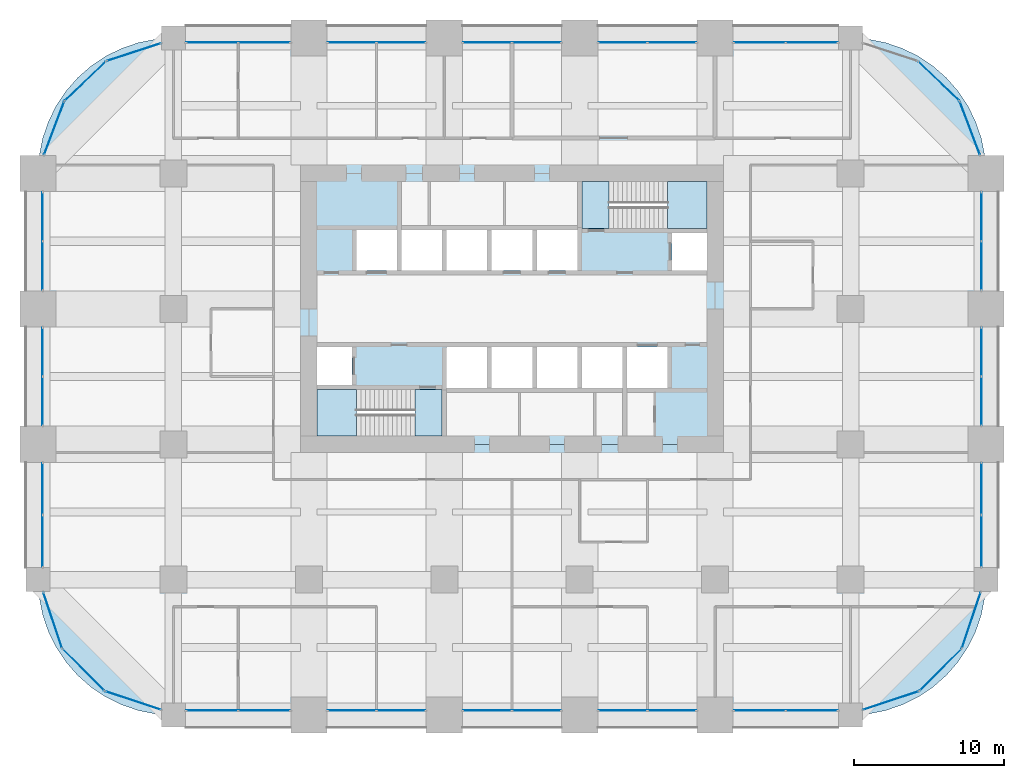
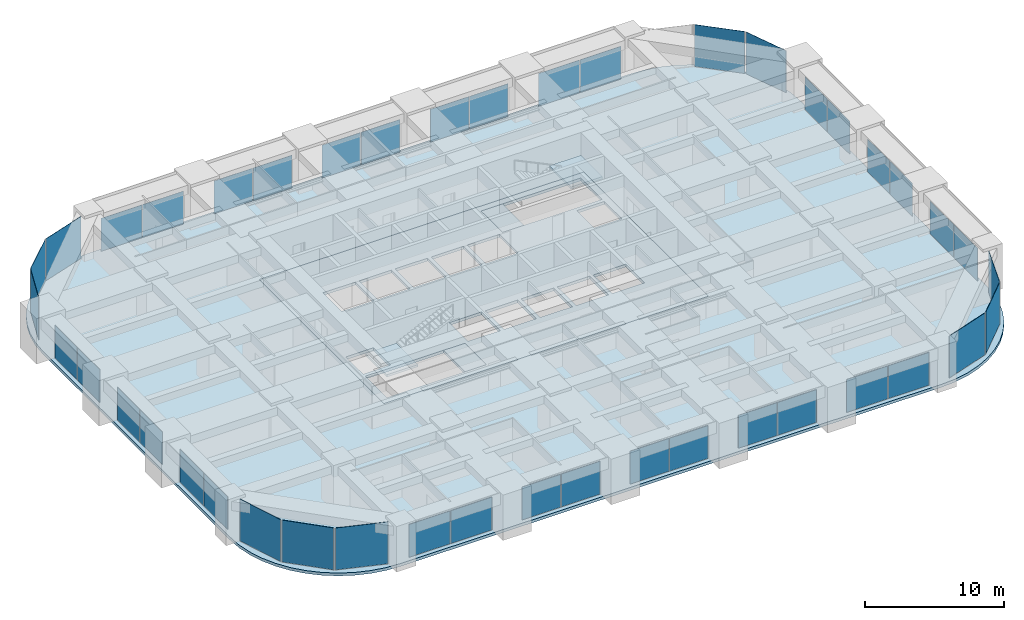
# One storey, part 37 of 42: 43 plates, 6 slabs, 29 elements without a shape of their own.
"""IFC4 building model written with IfcOpenShell, lengths in metres."""

from ifc_helpers import new_model, si_unit, direction, frame, origin, origin_2d, place, context, subcontext, project, spatial, polyline, rectangle, outline, extrude, material, layer, layer_set, type_object, element, aggregate, save


model = new_model("IFC4")

# Units and contexts
model_context = context("Model", 3, precision=1e-05, world=origin(), true_north=direction((0.0, 1.0)))
body_context = subcontext(model_context, "Body", "Model", "MODEL_VIEW")
ifc_project = project(units=[si_unit("LENGTHUNIT", "METRE"), si_unit("AREAUNIT", "SQUARE_METRE"), si_unit("VOLUMEUNIT", "CUBIC_METRE"), si_unit("PLANEANGLEUNIT", "RADIAN"), si_unit("MASSUNIT", "GRAM", prefix="KILO")], contexts=[model_context])

# Site, building, storey
site_placement = place(None, origin())
site = spatial("IfcSite", under=ifc_project, at=site_placement, CompositionType="ELEMENT")
building_placement = place(site_placement, origin())
building = spatial("IfcBuilding", under=site, at=building_placement, Name="Zorevar Civic Tower", CompositionType="ELEMENT")
storey_placement = place(building_placement, frame((0.0, 0.0, 149.0)))
storey = spatial("IfcBuildingStorey", under=building, at=storey_placement, Name="L36", CompositionType="ELEMENT", Elevation=149.0)

# Curtain wall, plates
ifc_material_1 = material(Name="Dark grey solar-control glass in black aluminium frame", Category="aluminium")
curtain_wall_type = type_object("IfcCurtainWallType", Name="Curtain wall CW3 mid zone", PredefinedType="NOTDEFINED", material=ifc_material_1)
curtain_wall_1_placement = place(storey_placement, origin())
curtain_wall_1 = element("IfcCurtainWall", 1, at=curtain_wall_1_placement, inside=storey, type_object=curtain_wall_type, Name="CW3 L36", PredefinedType="NOTDEFINED")
ifc_material_2 = material(Name="Dark grey solar-control glass", Category="glass")
ifc_layer_1 = layer(ifc_material_2, 0.030029296875)
ifc_layer_set_1 = layer_set([ifc_layer_1], Name="CW3 panel 30")
plate_type = type_object("IfcPlateType", Name="CW3 panel 30", PredefinedType="CURTAIN_PANEL", material=ifc_layer_set_1)
plate_1_placement = place(storey_placement, frame((11.56494140625, 0.300048828125, 0.06005859375), z_axis=(0.0, 0.0, 1.0), x_axis=(1.0, 0.0, 0.0)))
plate_1 = element("IfcPlate", 2, at=plate_1_placement, type_object=plate_type, Name="CW3 panel 1.1", PredefinedType="CURTAIN_PANEL", context=body_context, shape_type="SweptSolid", body=[
    extrude(rectangle(XDim=3.409912109375, YDim=0.030029296875, at=origin_2d()), origin(), (0.0, 0.0, 1.0), 2.889892578125),
])
plate_2_placement = place(storey_placement, frame((15.034912109375, 0.300048828125, 0.06005859375), z_axis=(0.0, 0.0, 1.0), x_axis=(1.0, 0.0, 0.0)))
plate_2 = element("IfcPlate", 3, at=plate_2_placement, type_object=plate_type, Name="CW3 panel 2.1", PredefinedType="CURTAIN_PANEL", context=body_context, shape_type="SweptSolid", body=[
    extrude(rectangle(XDim=3.409912109375, YDim=0.030029296875, at=origin_2d()), origin(), (0.0, 0.0, 1.0), 2.889892578125),
])
aggregate(curtain_wall_1, [plate_1, plate_2])

curtain_wall_2_placement = place(storey_placement, origin())
curtain_wall_2 = element("IfcCurtainWall", 4, at=curtain_wall_2_placement, inside=storey, type_object=curtain_wall_type, Name="CW3 L36", PredefinedType="NOTDEFINED")
plate_3_placement = place(storey_placement, frame((11.56494140625, 44.699951171875, 0.06005859375), z_axis=(0.0, 0.0, 1.0), x_axis=(1.0, 0.0, 0.0)))
plate_3 = element("IfcPlate", 5, at=plate_3_placement, type_object=plate_type, Name="CW3 panel 1.1", PredefinedType="CURTAIN_PANEL", context=body_context, shape_type="SweptSolid", body=[
    extrude(rectangle(XDim=3.409912109375, YDim=0.030029296875, at=origin_2d()), origin(), (0.0, 0.0, 1.0), 2.889892578125),
])
plate_4_placement = place(storey_placement, frame((15.034912109375, 44.699951171875, 0.06005859375), z_axis=(0.0, 0.0, 1.0), x_axis=(1.0, 0.0, 0.0)))
plate_4 = element("IfcPlate", 6, at=plate_4_placement, type_object=plate_type, Name="CW3 panel 2.1", PredefinedType="CURTAIN_PANEL", context=body_context, shape_type="SweptSolid", body=[
    extrude(rectangle(XDim=3.409912109375, YDim=0.030029296875, at=origin_2d()), origin(), (0.0, 0.0, 1.0), 2.889892578125),
])
aggregate(curtain_wall_2, [plate_3, plate_4])

curtain_wall_3_placement = place(storey_placement, origin())
curtain_wall_3 = element("IfcCurtainWall", 7, at=curtain_wall_3_placement, inside=storey, type_object=curtain_wall_type, Name="CW3 L36", PredefinedType="NOTDEFINED")
plate_5_placement = place(storey_placement, frame((20.864990234375, 0.300048828125, 0.06005859375), z_axis=(0.0, 0.0, 1.0), x_axis=(1.0, 0.0, 0.0)))
plate_5 = element("IfcPlate", 8, at=plate_5_placement, type_object=plate_type, Name="CW3 panel 1.1", PredefinedType="CURTAIN_PANEL", context=body_context, shape_type="SweptSolid", body=[
    extrude(rectangle(XDim=3.2099609375, YDim=0.030029296875, at=origin_2d()), origin(), (0.0, 0.0, 1.0), 2.889892578125),
])
plate_6_placement = place(storey_placement, frame((24.135009765625, 0.300048828125, 0.06005859375), z_axis=(0.0, 0.0, 1.0), x_axis=(1.0, 0.0, 0.0)))
plate_6 = element("IfcPlate", 9, at=plate_6_placement, type_object=plate_type, Name="CW3 panel 2.1", PredefinedType="CURTAIN_PANEL", context=body_context, shape_type="SweptSolid", body=[
    extrude(rectangle(XDim=3.2099609375, YDim=0.030029296875, at=origin_2d()), origin(), (0.0, 0.0, 1.0), 2.889892578125),
])
aggregate(curtain_wall_3, [plate_5, plate_6])

curtain_wall_4_placement = place(storey_placement, origin())
curtain_wall_4 = element("IfcCurtainWall", 10, at=curtain_wall_4_placement, inside=storey, type_object=curtain_wall_type, Name="CW3 L36", PredefinedType="NOTDEFINED")
plate_7_placement = place(storey_placement, frame((20.864990234375, 44.699951171875, 0.06005859375), z_axis=(0.0, 0.0, 1.0), x_axis=(1.0, 0.0, 0.0)))
plate_7 = element("IfcPlate", 11, at=plate_7_placement, type_object=plate_type, Name="CW3 panel 1.1", PredefinedType="CURTAIN_PANEL", context=body_context, shape_type="SweptSolid", body=[
    extrude(rectangle(XDim=3.2099609375, YDim=0.030029296875, at=origin_2d()), origin(), (0.0, 0.0, 1.0), 2.889892578125),
])
plate_8_placement = place(storey_placement, frame((24.135009765625, 44.699951171875, 0.06005859375), z_axis=(0.0, 0.0, 1.0), x_axis=(1.0, 0.0, 0.0)))
plate_8 = element("IfcPlate", 12, at=plate_8_placement, type_object=plate_type, Name="CW3 panel 2.1", PredefinedType="CURTAIN_PANEL", context=body_context, shape_type="SweptSolid", body=[
    extrude(rectangle(XDim=3.2099609375, YDim=0.030029296875, at=origin_2d()), origin(), (0.0, 0.0, 1.0), 2.889892578125),
])
aggregate(curtain_wall_4, [plate_7, plate_8])

curtain_wall_5_placement = place(storey_placement, origin())
curtain_wall_5 = element("IfcCurtainWall", 13, at=curtain_wall_5_placement, inside=storey, type_object=curtain_wall_type, Name="CW3 L36", PredefinedType="NOTDEFINED")
plate_9_placement = place(storey_placement, frame((29.864990234375, 0.300048828125, 0.06005859375), z_axis=(0.0, 0.0, 1.0), x_axis=(1.0, 0.0, 0.0)))
plate_9 = element("IfcPlate", 14, at=plate_9_placement, type_object=plate_type, Name="CW3 panel 1.1", PredefinedType="CURTAIN_PANEL", context=body_context, shape_type="SweptSolid", body=[
    extrude(rectangle(XDim=3.2099609375, YDim=0.030029296875, at=origin_2d()), origin(), (0.0, 0.0, 1.0), 2.889892578125),
])
plate_10_placement = place(storey_placement, frame((33.135009765625, 0.300048828125, 0.06005859375), z_axis=(0.0, 0.0, 1.0), x_axis=(1.0, 0.0, 0.0)))
plate_10 = element("IfcPlate", 15, at=plate_10_placement, type_object=plate_type, Name="CW3 panel 2.1", PredefinedType="CURTAIN_PANEL", context=body_context, shape_type="SweptSolid", body=[
    extrude(rectangle(XDim=3.2099609375, YDim=0.030029296875, at=origin_2d()), origin(), (0.0, 0.0, 1.0), 2.889892578125),
])
aggregate(curtain_wall_5, [plate_9, plate_10])

curtain_wall_6_placement = place(storey_placement, origin())
curtain_wall_6 = element("IfcCurtainWall", 16, at=curtain_wall_6_placement, inside=storey, type_object=curtain_wall_type, Name="CW3 L36", PredefinedType="NOTDEFINED")
plate_11_placement = place(storey_placement, frame((29.864990234375, 44.699951171875, 0.06005859375), z_axis=(0.0, 0.0, 1.0), x_axis=(1.0, 0.0, 0.0)))
plate_11 = element("IfcPlate", 17, at=plate_11_placement, type_object=plate_type, Name="CW3 panel 1.1", PredefinedType="CURTAIN_PANEL", context=body_context, shape_type="SweptSolid", body=[
    extrude(rectangle(XDim=3.2099609375, YDim=0.030029296875, at=origin_2d()), origin(), (0.0, 0.0, 1.0), 2.889892578125),
])
plate_12_placement = place(storey_placement, frame((33.135009765625, 44.699951171875, 0.06005859375), z_axis=(0.0, 0.0, 1.0), x_axis=(1.0, 0.0, 0.0)))
plate_12 = element("IfcPlate", 18, at=plate_12_placement, type_object=plate_type, Name="CW3 panel 2.1", PredefinedType="CURTAIN_PANEL", context=body_context, shape_type="SweptSolid", body=[
    extrude(rectangle(XDim=3.2099609375, YDim=0.030029296875, at=origin_2d()), origin(), (0.0, 0.0, 1.0), 2.889892578125),
])
aggregate(curtain_wall_6, [plate_11, plate_12])

curtain_wall_7_placement = place(storey_placement, origin())
curtain_wall_7 = element("IfcCurtainWall", 19, at=curtain_wall_7_placement, inside=storey, type_object=curtain_wall_type, Name="CW3 L36", PredefinedType="NOTDEFINED")
plate_13_placement = place(storey_placement, frame((38.864990234375, 0.300048828125, 0.06005859375), z_axis=(0.0, 0.0, 1.0), x_axis=(1.0, 0.0, 0.0)))
plate_13 = element("IfcPlate", 20, at=plate_13_placement, type_object=plate_type, Name="CW3 panel 1.1", PredefinedType="CURTAIN_PANEL", context=body_context, shape_type="SweptSolid", body=[
    extrude(rectangle(XDim=3.2099609375, YDim=0.030029296875, at=origin_2d()), origin(), (0.0, 0.0, 1.0), 2.889892578125),
])
plate_14_placement = place(storey_placement, frame((42.135009765625, 0.300048828125, 0.06005859375), z_axis=(0.0, 0.0, 1.0), x_axis=(1.0, 0.0, 0.0)))
plate_14 = element("IfcPlate", 21, at=plate_14_placement, type_object=plate_type, Name="CW3 panel 2.1", PredefinedType="CURTAIN_PANEL", context=body_context, shape_type="SweptSolid", body=[
    extrude(rectangle(XDim=3.2099609375, YDim=0.030029296875, at=origin_2d()), origin(), (0.0, 0.0, 1.0), 2.889892578125),
])
aggregate(curtain_wall_7, [plate_13, plate_14])

curtain_wall_8_placement = place(storey_placement, origin())
curtain_wall_8 = element("IfcCurtainWall", 22, at=curtain_wall_8_placement, inside=storey, type_object=curtain_wall_type, Name="CW3 L36", PredefinedType="NOTDEFINED")
plate_15_placement = place(storey_placement, frame((38.864990234375, 44.699951171875, 0.06005859375), z_axis=(0.0, 0.0, 1.0), x_axis=(1.0, 0.0, 0.0)))
plate_15 = element("IfcPlate", 23, at=plate_15_placement, type_object=plate_type, Name="CW3 panel 1.1", PredefinedType="CURTAIN_PANEL", context=body_context, shape_type="SweptSolid", body=[
    extrude(rectangle(XDim=3.2099609375, YDim=0.030029296875, at=origin_2d()), origin(), (0.0, 0.0, 1.0), 2.889892578125),
])
plate_16_placement = place(storey_placement, frame((42.135009765625, 44.699951171875, 0.06005859375), z_axis=(0.0, 0.0, 1.0), x_axis=(1.0, 0.0, 0.0)))
plate_16 = element("IfcPlate", 24, at=plate_16_placement, type_object=plate_type, Name="CW3 panel 2.1", PredefinedType="CURTAIN_PANEL", context=body_context, shape_type="SweptSolid", body=[
    extrude(rectangle(XDim=3.2099609375, YDim=0.030029296875, at=origin_2d()), origin(), (0.0, 0.0, 1.0), 2.889892578125),
])
aggregate(curtain_wall_8, [plate_15, plate_16])

curtain_wall_9_placement = place(storey_placement, origin())
curtain_wall_9 = element("IfcCurtainWall", 25, at=curtain_wall_9_placement, inside=storey, type_object=curtain_wall_type, Name="CW3 L36", PredefinedType="NOTDEFINED")
plate_17_placement = place(storey_placement, frame((47.965087890625, 0.300048828125, 0.06005859375), z_axis=(0.0, 0.0, 1.0), x_axis=(1.0, 0.0, 0.0)))
plate_17 = element("IfcPlate", 26, at=plate_17_placement, type_object=plate_type, Name="CW3 panel 1.1", PredefinedType="CURTAIN_PANEL", context=body_context, shape_type="SweptSolid", body=[
    extrude(rectangle(XDim=3.409912109375, YDim=0.030029296875, at=origin_2d()), origin(), (0.0, 0.0, 1.0), 2.889892578125),
])
plate_18_placement = place(storey_placement, frame((51.43505859375, 0.300048828125, 0.06005859375), z_axis=(0.0, 0.0, 1.0), x_axis=(1.0, 0.0, 0.0)))
plate_18 = element("IfcPlate", 27, at=plate_18_placement, type_object=plate_type, Name="CW3 panel 2.1", PredefinedType="CURTAIN_PANEL", context=body_context, shape_type="SweptSolid", body=[
    extrude(rectangle(XDim=3.409912109375, YDim=0.030029296875, at=origin_2d()), origin(), (0.0, 0.0, 1.0), 2.889892578125),
])
aggregate(curtain_wall_9, [plate_17, plate_18])

curtain_wall_10_placement = place(storey_placement, origin())
curtain_wall_10 = element("IfcCurtainWall", 28, at=curtain_wall_10_placement, inside=storey, type_object=curtain_wall_type, Name="CW3 L36", PredefinedType="NOTDEFINED")
plate_19_placement = place(storey_placement, frame((47.965087890625, 44.699951171875, 0.06005859375), z_axis=(0.0, 0.0, 1.0), x_axis=(1.0, 0.0, 0.0)))
plate_19 = element("IfcPlate", 29, at=plate_19_placement, type_object=plate_type, Name="CW3 panel 1.1", PredefinedType="CURTAIN_PANEL", context=body_context, shape_type="SweptSolid", body=[
    extrude(rectangle(XDim=3.409912109375, YDim=0.030029296875, at=origin_2d()), origin(), (0.0, 0.0, 1.0), 2.889892578125),
])
plate_20_placement = place(storey_placement, frame((51.43505859375, 44.699951171875, 0.06005859375), z_axis=(0.0, 0.0, 1.0), x_axis=(1.0, 0.0, 0.0)))
plate_20 = element("IfcPlate", 30, at=plate_20_placement, type_object=plate_type, Name="CW3 panel 2.1", PredefinedType="CURTAIN_PANEL", context=body_context, shape_type="SweptSolid", body=[
    extrude(rectangle(XDim=3.409912109375, YDim=0.030029296875, at=origin_2d()), origin(), (0.0, 0.0, 1.0), 2.889892578125),
])
aggregate(curtain_wall_10, [plate_19, plate_20])

curtain_wall_11_placement = place(storey_placement, origin())
curtain_wall_11 = element("IfcCurtainWall", 31, at=curtain_wall_11_placement, inside=storey, type_object=curtain_wall_type, Name="CW3 L36", PredefinedType="NOTDEFINED")
plate_21_placement = place(storey_placement, frame((0.300048828125, 11.56494140625, 0.06005859375), z_axis=(0.0, 0.0, 1.0), x_axis=(0.0, 1.0, 0.0)))
plate_21 = element("IfcPlate", 32, at=plate_21_placement, type_object=plate_type, Name="CW3 panel 1.1", PredefinedType="CURTAIN_PANEL", context=body_context, shape_type="SweptSolid", body=[
    extrude(rectangle(XDim=3.409912109375, YDim=0.030029296875, at=origin_2d()), origin(), (0.0, 0.0, 1.0), 2.889892578125),
])
plate_22_placement = place(storey_placement, frame((0.300048828125, 15.034912109375, 0.06005859375), z_axis=(0.0, 0.0, 1.0), x_axis=(0.0, 1.0, 0.0)))
plate_22 = element("IfcPlate", 33, at=plate_22_placement, type_object=plate_type, Name="CW3 panel 2.1", PredefinedType="CURTAIN_PANEL", context=body_context, shape_type="SweptSolid", body=[
    extrude(rectangle(XDim=3.409912109375, YDim=0.030029296875, at=origin_2d()), origin(), (0.0, 0.0, 1.0), 2.889892578125),
])
aggregate(curtain_wall_11, [plate_21, plate_22])

curtain_wall_12_placement = place(storey_placement, origin())
curtain_wall_12 = element("IfcCurtainWall", 34, at=curtain_wall_12_placement, inside=storey, type_object=curtain_wall_type, Name="CW3 L36", PredefinedType="NOTDEFINED")
plate_23_placement = place(storey_placement, frame((62.699951171875, 11.56494140625, 0.06005859375), z_axis=(0.0, 0.0, 1.0), x_axis=(0.0, 1.0, 0.0)))
plate_23 = element("IfcPlate", 35, at=plate_23_placement, type_object=plate_type, Name="CW3 panel 1.1", PredefinedType="CURTAIN_PANEL", context=body_context, shape_type="SweptSolid", body=[
    extrude(rectangle(XDim=3.409912109375, YDim=0.030029296875, at=origin_2d()), origin(), (0.0, 0.0, 1.0), 2.889892578125),
])
plate_24_placement = place(storey_placement, frame((62.699951171875, 15.034912109375, 0.06005859375), z_axis=(0.0, 0.0, 1.0), x_axis=(0.0, 1.0, 0.0)))
plate_24 = element("IfcPlate", 36, at=plate_24_placement, type_object=plate_type, Name="CW3 panel 2.1", PredefinedType="CURTAIN_PANEL", context=body_context, shape_type="SweptSolid", body=[
    extrude(rectangle(XDim=3.409912109375, YDim=0.030029296875, at=origin_2d()), origin(), (0.0, 0.0, 1.0), 2.889892578125),
])
aggregate(curtain_wall_12, [plate_23, plate_24])

curtain_wall_13_placement = place(storey_placement, origin())
curtain_wall_13 = element("IfcCurtainWall", 37, at=curtain_wall_13_placement, inside=storey, type_object=curtain_wall_type, Name="CW3 L36", PredefinedType="NOTDEFINED")
plate_25_placement = place(storey_placement, frame((0.300048828125, 20.864990234375, 0.06005859375), z_axis=(0.0, 0.0, 1.0), x_axis=(0.0, 1.0, 0.0)))
plate_25 = element("IfcPlate", 38, at=plate_25_placement, type_object=plate_type, Name="CW3 panel 1.1", PredefinedType="CURTAIN_PANEL", context=body_context, shape_type="SweptSolid", body=[
    extrude(rectangle(XDim=3.2099609375, YDim=0.030029296875, at=origin_2d()), origin(), (0.0, 0.0, 1.0), 2.889892578125),
])
plate_26_placement = place(storey_placement, frame((0.300048828125, 24.135009765625, 0.06005859375), z_axis=(0.0, 0.0, 1.0), x_axis=(0.0, 1.0, 0.0)))
plate_26 = element("IfcPlate", 39, at=plate_26_placement, type_object=plate_type, Name="CW3 panel 2.1", PredefinedType="CURTAIN_PANEL", context=body_context, shape_type="SweptSolid", body=[
    extrude(rectangle(XDim=3.2099609375, YDim=0.030029296875, at=origin_2d()), origin(), (0.0, 0.0, 1.0), 2.889892578125),
])
aggregate(curtain_wall_13, [plate_25, plate_26])

curtain_wall_14_placement = place(storey_placement, origin())
curtain_wall_14 = element("IfcCurtainWall", 40, at=curtain_wall_14_placement, inside=storey, type_object=curtain_wall_type, Name="CW3 L36", PredefinedType="NOTDEFINED")
plate_27_placement = place(storey_placement, frame((62.699951171875, 20.864990234375, 0.06005859375), z_axis=(0.0, 0.0, 1.0), x_axis=(0.0, 1.0, 0.0)))
plate_27 = element("IfcPlate", 41, at=plate_27_placement, type_object=plate_type, Name="CW3 panel 1.1", PredefinedType="CURTAIN_PANEL", context=body_context, shape_type="SweptSolid", body=[
    extrude(rectangle(XDim=3.2099609375, YDim=0.030029296875, at=origin_2d()), origin(), (0.0, 0.0, 1.0), 2.889892578125),
])
plate_28_placement = place(storey_placement, frame((62.699951171875, 24.135009765625, 0.06005859375), z_axis=(0.0, 0.0, 1.0), x_axis=(0.0, 1.0, 0.0)))
plate_28 = element("IfcPlate", 42, at=plate_28_placement, type_object=plate_type, Name="CW3 panel 2.1", PredefinedType="CURTAIN_PANEL", context=body_context, shape_type="SweptSolid", body=[
    extrude(rectangle(XDim=3.2099609375, YDim=0.030029296875, at=origin_2d()), origin(), (0.0, 0.0, 1.0), 2.889892578125),
])
aggregate(curtain_wall_14, [plate_27, plate_28])

curtain_wall_15_placement = place(storey_placement, origin())
curtain_wall_15 = element("IfcCurtainWall", 43, at=curtain_wall_15_placement, inside=storey, type_object=curtain_wall_type, Name="CW3 L36", PredefinedType="NOTDEFINED")
plate_29_placement = place(storey_placement, frame((0.300048828125, 29.864990234375, 0.06005859375), z_axis=(0.0, 0.0, 1.0), x_axis=(0.0, 1.0, 0.0)))
plate_29 = element("IfcPlate", 44, at=plate_29_placement, type_object=plate_type, Name="CW3 panel 1.1", PredefinedType="CURTAIN_PANEL", context=body_context, shape_type="SweptSolid", body=[
    extrude(rectangle(XDim=3.2099609375, YDim=0.030029296875, at=origin_2d()), origin(), (0.0, 0.0, 1.0), 2.889892578125),
])
plate_30_placement = place(storey_placement, frame((0.300048828125, 33.135009765625, 0.06005859375), z_axis=(0.0, 0.0, 1.0), x_axis=(0.0, 1.0, 0.0)))
plate_30 = element("IfcPlate", 45, at=plate_30_placement, type_object=plate_type, Name="CW3 panel 2.1", PredefinedType="CURTAIN_PANEL", context=body_context, shape_type="SweptSolid", body=[
    extrude(rectangle(XDim=3.2099609375, YDim=0.030029296875, at=origin_2d()), origin(), (0.0, 0.0, 1.0), 2.889892578125),
])
aggregate(curtain_wall_15, [plate_29, plate_30])

curtain_wall_16_placement = place(storey_placement, origin())
curtain_wall_16 = element("IfcCurtainWall", 46, at=curtain_wall_16_placement, inside=storey, type_object=curtain_wall_type, Name="CW3 L36", PredefinedType="NOTDEFINED")
plate_31_placement = place(storey_placement, frame((62.699951171875, 29.864990234375, 0.06005859375), z_axis=(0.0, 0.0, 1.0), x_axis=(0.0, 1.0, 0.0)))
plate_31 = element("IfcPlate", 47, at=plate_31_placement, type_object=plate_type, Name="CW3 panel 1.1", PredefinedType="CURTAIN_PANEL", context=body_context, shape_type="SweptSolid", body=[
    extrude(rectangle(XDim=3.2099609375, YDim=0.030029296875, at=origin_2d()), origin(), (0.0, 0.0, 1.0), 2.889892578125),
])
plate_32_placement = place(storey_placement, frame((62.699951171875, 33.135009765625, 0.06005859375), z_axis=(0.0, 0.0, 1.0), x_axis=(0.0, 1.0, 0.0)))
plate_32 = element("IfcPlate", 48, at=plate_32_placement, type_object=plate_type, Name="CW3 panel 2.1", PredefinedType="CURTAIN_PANEL", context=body_context, shape_type="SweptSolid", body=[
    extrude(rectangle(XDim=3.2099609375, YDim=0.030029296875, at=origin_2d()), origin(), (0.0, 0.0, 1.0), 2.889892578125),
])
aggregate(curtain_wall_16, [plate_31, plate_32])

# Curtain wall, plate
curtain_wall_17_placement = place(storey_placement, origin())
curtain_wall_17 = element("IfcCurtainWall", 49, at=curtain_wall_17_placement, inside=storey, type_object=curtain_wall_type, Name="CW3 L36", PredefinedType="NOTDEFINED")
plate_33_placement = place(storey_placement, frame((56.689453125, 0.9697265625, 0.06005859375), z_axis=(0.0, 0.0, 1.0), x_axis=(0.948227238701, 0.317592669603, 0.0)))
plate_33 = element("IfcPlate", 50, at=plate_33_placement, type_object=plate_type, Name="CW3 panel 1.1", PredefinedType="CURTAIN_PANEL", context=body_context, shape_type="SweptSolid", body=[
    extrude(rectangle(XDim=3.865478515625, YDim=0.030029296875, at=origin_2d()), origin(), (0.0, 0.0, 1.0), 3.68994140625),
])
aggregate(curtain_wall_17, [plate_33])

curtain_wall_18_placement = place(storey_placement, origin())
curtain_wall_18 = element("IfcCurtainWall", 51, at=curtain_wall_18_placement, inside=storey, type_object=curtain_wall_type, Name="CW3 L36", PredefinedType="NOTDEFINED")
plate_34_placement = place(storey_placement, frame((59.98828125, 3.01171875, 0.06005859375), z_axis=(0.0, 0.0, 1.0), x_axis=(0.707106781187, 0.707106781187, 0.0)))
plate_34 = element("IfcPlate", 52, at=plate_34_placement, type_object=plate_type, Name="CW3 panel 1.1", PredefinedType="CURTAIN_PANEL", context=body_context, shape_type="SweptSolid", body=[
    extrude(rectangle(XDim=3.865478515625, YDim=0.030029296875, at=origin_2d()), origin(), (0.0, 0.0, 1.0), 3.68994140625),
])
aggregate(curtain_wall_18, [plate_34])

curtain_wall_19_placement = place(storey_placement, origin())
curtain_wall_19 = element("IfcCurtainWall", 53, at=curtain_wall_19_placement, inside=storey, type_object=curtain_wall_type, Name="CW3 L36", PredefinedType="NOTDEFINED")
plate_35_placement = place(storey_placement, frame((62.0302734375, 6.310546875, 0.06005859375), z_axis=(0.0, 0.0, 1.0), x_axis=(0.317592669603, 0.948227238701, 0.0)))
plate_35 = element("IfcPlate", 54, at=plate_35_placement, type_object=plate_type, Name="CW3 panel 1.1", PredefinedType="CURTAIN_PANEL", context=body_context, shape_type="SweptSolid", body=[
    extrude(rectangle(XDim=3.865478515625, YDim=0.030029296875, at=origin_2d()), origin(), (0.0, 0.0, 1.0), 3.68994140625),
])
aggregate(curtain_wall_19, [plate_35])

curtain_wall_20_placement = place(storey_placement, origin())
curtain_wall_20 = element("IfcCurtainWall", 55, at=curtain_wall_20_placement, inside=storey, type_object=curtain_wall_type, Name="CW3 L36", PredefinedType="NOTDEFINED")
plate_36_placement = place(storey_placement, frame((61.9345703125, 39.002685546875, 0.06005859375), z_axis=(0.0, 0.0, 1.0), x_axis=(-0.353917722218, 0.935276561184, 0.0)))
plate_36 = element("IfcPlate", 56, at=plate_36_placement, type_object=plate_type, Name="CW3 panel 1.1", PredefinedType="CURTAIN_PANEL", context=body_context, shape_type="SweptSolid", body=[
    extrude(rectangle(XDim=3.734619140625, YDim=0.030029296875, at=origin_2d()), origin(), (0.0, 0.0, 1.0), 3.68994140625),
])
aggregate(curtain_wall_20, [plate_36])

curtain_wall_21_placement = place(storey_placement, origin())
curtain_wall_21 = element("IfcCurtainWall", 57, at=curtain_wall_21_placement, inside=storey, type_object=curtain_wall_type, Name="CW3 L36", PredefinedType="NOTDEFINED")
plate_37_placement = place(storey_placement, frame((59.8583984375, 42.13623046875, 0.06005859375), z_axis=(0.0, 0.0, 1.0), x_axis=(-0.723289117983, 0.690545329292, 0.0)))
plate_37 = element("IfcPlate", 58, at=plate_37_placement, type_object=plate_type, Name="CW3 panel 1.1", PredefinedType="CURTAIN_PANEL", context=body_context, shape_type="SweptSolid", body=[
    extrude(rectangle(XDim=3.734619140625, YDim=0.030029296875, at=origin_2d()), origin(), (0.0, 0.0, 1.0), 3.68994140625),
])
aggregate(curtain_wall_21, [plate_37])

curtain_wall_22_placement = place(storey_placement, origin())
curtain_wall_22 = element("IfcCurtainWall", 59, at=curtain_wall_22_placement, inside=storey, type_object=curtain_wall_type, Name="CW3 L36", PredefinedType="NOTDEFINED")
plate_38_placement = place(storey_placement, frame((6.36767578125, 44.065185546875, 0.06005859375), z_axis=(0.0, 0.0, 1.0), x_axis=(-0.950650706548, -0.310263169163, 0.0)))
plate_38 = element("IfcPlate", 60, at=plate_38_placement, type_object=plate_type, Name="CW3 panel 1.1", PredefinedType="CURTAIN_PANEL", context=body_context, shape_type="SweptSolid", body=[
    extrude(rectangle(XDim=3.734619140625, YDim=0.030029296875, at=origin_2d()), origin(), (0.0, 0.0, 1.0), 3.68994140625),
])
aggregate(curtain_wall_22, [plate_38])

curtain_wall_23_placement = place(storey_placement, origin())
curtain_wall_23 = element("IfcCurtainWall", 61, at=curtain_wall_23_placement, inside=storey, type_object=curtain_wall_type, Name="CW3 L36", PredefinedType="NOTDEFINED")
plate_39_placement = place(storey_placement, frame((3.1416015625, 42.13623046875, 0.06005859375), z_axis=(0.0, 0.0, 1.0), x_axis=(-0.723289117983, -0.690545329292, 0.0)))
plate_39 = element("IfcPlate", 62, at=plate_39_placement, type_object=plate_type, Name="CW3 panel 1.1", PredefinedType="CURTAIN_PANEL", context=body_context, shape_type="SweptSolid", body=[
    extrude(rectangle(XDim=3.734619140625, YDim=0.030029296875, at=origin_2d()), origin(), (0.0, 0.0, 1.0), 3.68994140625),
])
aggregate(curtain_wall_23, [plate_39])

curtain_wall_24_placement = place(storey_placement, origin())
curtain_wall_24 = element("IfcCurtainWall", 63, at=curtain_wall_24_placement, inside=storey, type_object=curtain_wall_type, Name="CW3 L36", PredefinedType="NOTDEFINED")
plate_40_placement = place(storey_placement, frame((1.0654296875, 39.002685546875, 0.06005859375), z_axis=(0.0, 0.0, 1.0), x_axis=(-0.353917722218, -0.935276561184, 0.0)))
plate_40 = element("IfcPlate", 64, at=plate_40_placement, type_object=plate_type, Name="CW3 panel 1.1", PredefinedType="CURTAIN_PANEL", context=body_context, shape_type="SweptSolid", body=[
    extrude(rectangle(XDim=3.734619140625, YDim=0.030029296875, at=origin_2d()), origin(), (0.0, 0.0, 1.0), 3.68994140625),
])
aggregate(curtain_wall_24, [plate_40])

curtain_wall_25_placement = place(storey_placement, origin())
curtain_wall_25 = element("IfcCurtainWall", 65, at=curtain_wall_25_placement, inside=storey, type_object=curtain_wall_type, Name="CW3 L36", PredefinedType="NOTDEFINED")
plate_41_placement = place(storey_placement, frame((0.9697265625, 6.310546875, 0.06005859375), z_axis=(0.0, 0.0, 1.0), x_axis=(0.317592669603, -0.948227238701, 0.0)))
plate_41 = element("IfcPlate", 66, at=plate_41_placement, type_object=plate_type, Name="CW3 panel 1.1", PredefinedType="CURTAIN_PANEL", context=body_context, shape_type="SweptSolid", body=[
    extrude(rectangle(XDim=3.865478515625, YDim=0.030029296875, at=origin_2d()), origin(), (0.0, 0.0, 1.0), 3.68994140625),
])
aggregate(curtain_wall_25, [plate_41])

curtain_wall_26_placement = place(storey_placement, origin())
curtain_wall_26 = element("IfcCurtainWall", 67, at=curtain_wall_26_placement, inside=storey, type_object=curtain_wall_type, Name="CW3 L36", PredefinedType="NOTDEFINED")
plate_42_placement = place(storey_placement, frame((3.01171875, 3.01171875, 0.06005859375), z_axis=(0.0, 0.0, 1.0), x_axis=(0.707106781187, -0.707106781187, 0.0)))
plate_42 = element("IfcPlate", 68, at=plate_42_placement, type_object=plate_type, Name="CW3 panel 1.1", PredefinedType="CURTAIN_PANEL", context=body_context, shape_type="SweptSolid", body=[
    extrude(rectangle(XDim=3.865478515625, YDim=0.030029296875, at=origin_2d()), origin(), (0.0, 0.0, 1.0), 3.68994140625),
])
aggregate(curtain_wall_26, [plate_42])

curtain_wall_27_placement = place(storey_placement, origin())
curtain_wall_27 = element("IfcCurtainWall", 69, at=curtain_wall_27_placement, inside=storey, type_object=curtain_wall_type, Name="CW3 L36", PredefinedType="NOTDEFINED")
plate_43_placement = place(storey_placement, frame((6.310546875, 0.9697265625, 0.06005859375), z_axis=(0.0, 0.0, 1.0), x_axis=(0.948227238701, -0.317592669603, 0.0)))
plate_43 = element("IfcPlate", 70, at=plate_43_placement, type_object=plate_type, Name="CW3 panel 1.1", PredefinedType="CURTAIN_PANEL", context=body_context, shape_type="SweptSolid", body=[
    extrude(rectangle(XDim=3.865478515625, YDim=0.030029296875, at=origin_2d()), origin(), (0.0, 0.0, 1.0), 3.68994140625),
])
aggregate(curtain_wall_27, [plate_43])

# Slabs
ifc_material_3 = material(Name="Concrete C40/50", Category="concrete")
ifc_layer_2 = layer(ifc_material_3, 0.25)
ifc_layer_set_2 = layer_set([ifc_layer_2], Name="Floor slab 250")
slab_type_1 = type_object("IfcSlabType", Name="Floor slab 250", PredefinedType="FLOOR", material=ifc_layer_set_2)
slab_1_placement = place(storey_placement, frame((0.0, 0.0, -0.25)))
element("IfcSlab", 71, at=slab_1_placement, inside=storey, type_object=slab_type_1, Name="Floor slab L36", PredefinedType="FLOOR", context=body_context, shape_type="SweptSolid", body=[
    extrude(outline(polyline([(54.0, 0.0), (55.1748046875, 0.076904296875), (56.329345703125, 0.306640625), (57.444091796875, 0.68505859375), (58.5, 1.205810546875), (59.478759765625, 1.85986328125), (60.364013671875, 2.635986328125), (61.14013671875, 3.521240234375), (61.794189453125, 4.5), (62.31494140625, 5.555908203125), (62.693359375, 6.670654296875), (62.923095703125, 7.8251953125), (63.0, 9.0), (63.0, 36.0), (62.923095703125, 37.1748046875), (62.693359375, 38.329345703125), (62.31494140625, 39.444091796875), (61.794189453125, 40.5), (61.14013671875, 41.478759765625), (60.364013671875, 42.364013671875), (59.478759765625, 43.14013671875), (58.5, 43.794189453125), (57.444091796875, 44.31494140625), (56.329345703125, 44.693359375), (55.1748046875, 44.923095703125), (54.0, 45.0), (9.0, 45.0), (7.8251953125, 44.923095703125), (6.670654296875, 44.693359375), (5.555908203125, 44.31494140625), (4.5, 43.794189453125), (3.521240234375, 43.14013671875), (2.635986328125, 42.364013671875), (1.85986328125, 41.478759765625), (1.205810546875, 40.5), (0.68505859375, 39.444091796875), (0.306640625, 38.329345703125), (0.076904296875, 37.1748046875), (0.0, 36.0), (0.0, 9.0), (0.076904296875, 7.8251953125), (0.306640625, 6.670654296875), (0.68505859375, 5.555908203125), (1.205810546875, 4.5), (1.85986328125, 3.521240234375), (2.635986328125, 2.635986328125), (3.521240234375, 1.85986328125), (4.5, 1.205810546875), (5.555908203125, 0.68505859375), (6.670654296875, 0.306640625), (7.8251953125, 0.076904296875), (9.0, 0.0), (54.0, 0.0)]), holes=[polyline([(18.0, 18.0), (45.0, 18.0), (45.0, 36.0), (18.0, 36.0), (18.0, 18.0)])]), origin(), (0.0, 0.0, 1.0), 0.25),
])
slab_2_placement = place(storey_placement, frame((0.0, 0.0, -0.25)))
element("IfcSlab", 72, at=slab_2_placement, inside=storey, type_object=slab_type_1, Name="Core floor L36", PredefinedType="FLOOR", context=body_context, shape_type="SweptSolid", body=[
    extrude(outline(polyline([(18.0, 18.0), (45.0, 18.0), (45.0, 36.0), (18.0, 36.0), (18.0, 18.0)]), holes=[polyline([(18.550048828125, 18.550048828125), (26.85009765625, 18.550048828125), (26.85009765625, 21.64990234375), (18.550048828125, 21.64990234375), (18.550048828125, 18.550048828125)]), polyline([(36.14990234375, 32.35009765625), (44.449951171875, 32.35009765625), (44.449951171875, 35.449951171875), (36.14990234375, 35.449951171875), (36.14990234375, 32.35009765625)]), polyline([(18.550048828125, 21.949951171875), (20.85009765625, 21.949951171875), (20.85009765625, 24.449951171875), (18.550048828125, 24.449951171875), (18.550048828125, 21.949951171875)]), polyline([(42.14990234375, 29.550048828125), (44.449951171875, 29.550048828125), (44.449951171875, 32.050048828125), (42.14990234375, 32.050048828125), (42.14990234375, 29.550048828125)]), polyline([(27.14990234375, 21.75), (29.85009765625, 21.75), (29.85009765625, 24.449951171875), (27.14990234375, 24.449951171875), (27.14990234375, 21.75)]), polyline([(33.14990234375, 29.550048828125), (35.85009765625, 29.550048828125), (35.85009765625, 32.25), (33.14990234375, 32.25), (33.14990234375, 29.550048828125)]), polyline([(30.14990234375, 21.75), (32.85009765625, 21.75), (32.85009765625, 24.449951171875), (30.14990234375, 24.449951171875), (30.14990234375, 21.75)]), polyline([(30.14990234375, 29.550048828125), (32.85009765625, 29.550048828125), (32.85009765625, 32.25), (30.14990234375, 32.25), (30.14990234375, 29.550048828125)]), polyline([(33.14990234375, 21.75), (35.85009765625, 21.75), (35.85009765625, 24.449951171875), (33.14990234375, 24.449951171875), (33.14990234375, 21.75)]), polyline([(27.14990234375, 29.550048828125), (29.85009765625, 29.550048828125), (29.85009765625, 32.25), (27.14990234375, 32.25), (27.14990234375, 29.550048828125)]), polyline([(36.14990234375, 21.75), (38.85009765625, 21.75), (38.85009765625, 24.449951171875), (36.14990234375, 24.449951171875), (36.14990234375, 21.75)]), polyline([(24.14990234375, 29.550048828125), (26.85009765625, 29.550048828125), (26.85009765625, 32.25), (24.14990234375, 32.25), (24.14990234375, 29.550048828125)]), polyline([(39.14990234375, 21.75), (41.85009765625, 21.75), (41.85009765625, 24.449951171875), (39.14990234375, 24.449951171875), (39.14990234375, 21.75)]), polyline([(21.14990234375, 29.550048828125), (23.85009765625, 29.550048828125), (23.85009765625, 32.25), (21.14990234375, 32.25), (21.14990234375, 29.550048828125)])]), origin(), (0.0, 0.0, 1.0), 0.25),
])

# Stair, slabs
ifc_material_4 = material(Name="Precast concrete C40/50", Category="concrete")
stair_type = type_object("IfcStairType", Name="Stair ST 28R", PredefinedType="HALF_TURN_STAIR", material=ifc_material_4)
stair_1_placement = place(storey_placement, origin())
stair_1 = element("IfcStair", 73, at=stair_1_placement, inside=storey, type_object=stair_type, Name="Stair ST1 L36", PredefinedType="HALF_TURN_STAIR")
ifc_material_5 = material(Name="Concrete C40/50", Category="concrete")
ifc_layer_3 = layer(ifc_material_5, 0.199951171875)
ifc_layer_set_3 = layer_set([ifc_layer_3], Name="Stair landing 200")
slab_type_2 = type_object("IfcSlabType", Name="Stair landing 200", PredefinedType="LANDING", material=ifc_layer_set_3)
slab_3_placement = place(storey_placement, frame((0.0, 0.0, -0.199951171875)))
slab_3 = element("IfcSlab", 74, at=slab_3_placement, type_object=slab_type_2, Name="ST1 landing 1", PredefinedType="LANDING", context=body_context, shape_type="SweptSolid", body=[
    extrude(outline(polyline([(25.050048828125, 18.550048828125), (26.85009765625, 18.550048828125), (26.85009765625, 21.64990234375), (25.050048828125, 21.64990234375), (25.050048828125, 18.550048828125)])), origin(), (0.0, 0.0, 1.0), 0.199951171875),
])
slab_4_placement = place(storey_placement, frame((0.0, 0.0, 1.800048828125)))
slab_4 = element("IfcSlab", 75, at=slab_4_placement, type_object=slab_type_2, Name="ST1 landing 2", PredefinedType="LANDING", context=body_context, shape_type="SweptSolid", body=[
    extrude(outline(polyline([(18.550048828125, 18.550048828125), (21.14990234375, 18.550048828125), (21.14990234375, 21.64990234375), (18.550048828125, 21.64990234375), (18.550048828125, 18.550048828125)])), origin(), (0.0, 0.0, 1.0), 0.199951171875),
])
aggregate(stair_1, [slab_3, slab_4])

stair_2_placement = place(storey_placement, origin())
stair_2 = element("IfcStair", 76, at=stair_2_placement, inside=storey, type_object=stair_type, Name="Stair ST2 L36", PredefinedType="HALF_TURN_STAIR")
slab_5_placement = place(storey_placement, frame((0.0, 0.0, -0.199951171875)))
slab_5 = element("IfcSlab", 77, at=slab_5_placement, type_object=slab_type_2, Name="ST2 landing 1", PredefinedType="LANDING", context=body_context, shape_type="SweptSolid", body=[
    extrude(outline(polyline([(37.949951171875, 32.35009765625), (36.14990234375, 32.35009765625), (36.14990234375, 35.449951171875), (37.949951171875, 35.449951171875), (37.949951171875, 32.35009765625)])), origin(), (0.0, 0.0, 1.0), 0.199951171875),
])
slab_6_placement = place(storey_placement, frame((0.0, 0.0, 1.800048828125)))
slab_6 = element("IfcSlab", 78, at=slab_6_placement, type_object=slab_type_2, Name="ST2 landing 2", PredefinedType="LANDING", context=body_context, shape_type="SweptSolid", body=[
    extrude(outline(polyline([(44.449951171875, 32.35009765625), (41.85009765625, 32.35009765625), (41.85009765625, 35.449951171875), (44.449951171875, 35.449951171875), (44.449951171875, 32.35009765625)])), origin(), (0.0, 0.0, 1.0), 0.199951171875),
])
aggregate(stair_2, [slab_5, slab_6])

save(model, "model.ifc")
